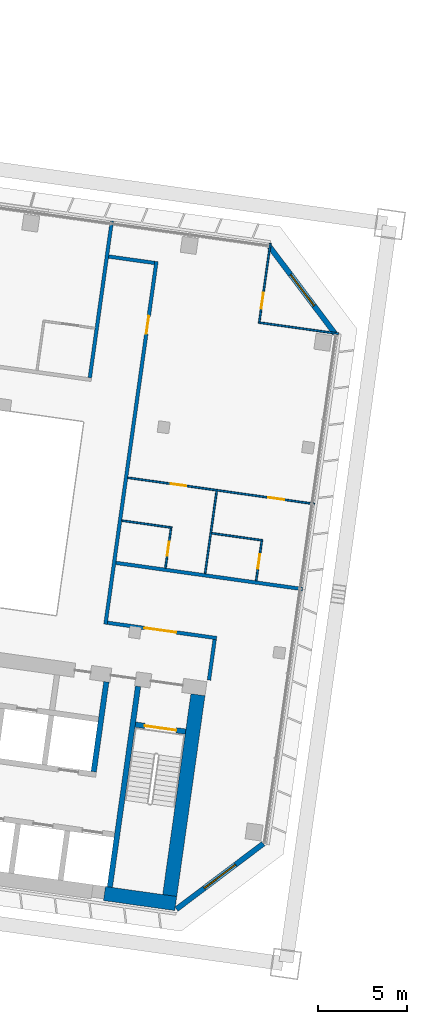
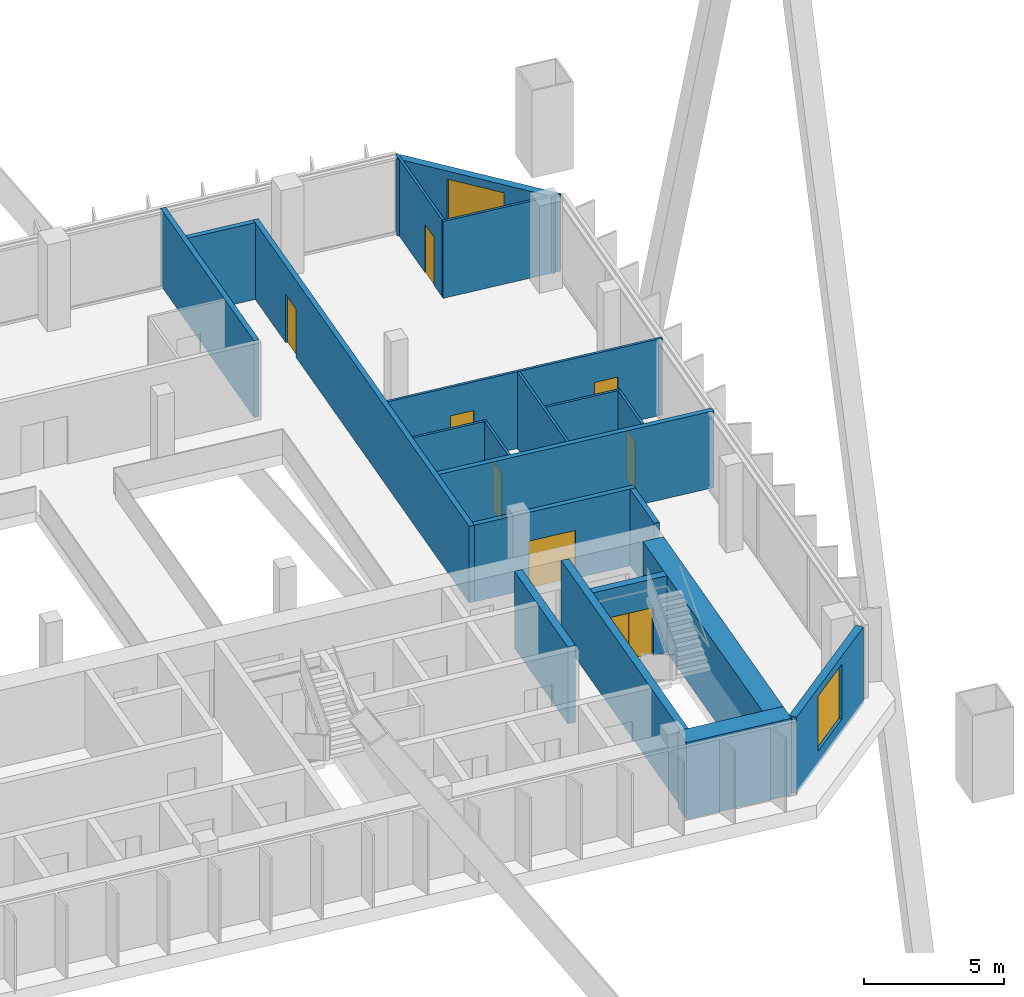
# One storey, part 33 of 41: 21 walls, 8 doors, 2 windows, 10 openings.
"""IFC4 building model written with IfcOpenShell, lengths in metres."""

from ifc_helpers import new_model, si_unit, direction, frame, frame_2d, origin, place, context, subcontext, project, spatial, rectangle, extrude, material, layer, layer_set, type_object, element, fill, save


model = new_model("IFC4")

# Units and contexts
model_context = context("Model", 3, precision=1e-05, world=origin(), true_north=direction((0.0, 1.0)))
body_context = subcontext(model_context, "Body", "Model", "MODEL_VIEW")
ifc_project = project(units=[si_unit("LENGTHUNIT", "METRE"), si_unit("AREAUNIT", "SQUARE_METRE"), si_unit("VOLUMEUNIT", "CUBIC_METRE"), si_unit("PLANEANGLEUNIT", "RADIAN"), si_unit("MASSUNIT", "GRAM", prefix="KILO")], contexts=[model_context])

# Site, building, storey
site_placement = place(None, origin())
site = spatial("IfcSite", under=ifc_project, at=site_placement, CompositionType="ELEMENT")
building_placement = place(site_placement, origin())
building = spatial("IfcBuilding", under=site, at=building_placement, Name="Mirante Cascada Hotel Towers", CompositionType="ELEMENT")
storey_placement = place(building_placement, frame((0.0, 0.0, 125.3)))
storey = spatial("IfcBuildingStorey", under=building, at=storey_placement, Name="L28", CompositionType="ELEMENT", Elevation=125.3)

# Wall, opening, door
ifc_material_1 = material(Name="Fire-rated plasterboard on metal studs")
ifc_layer_1 = layer(ifc_material_1, 0.2)
ifc_layer_set_1 = layer_set([ifc_layer_1], Name="Compartment wall 200 EI 120")
wall_type_1 = type_object("IfcWallType", Name="Compartment wall 200 EI 120", PredefinedType="PARTITIONING", material=ifc_layer_set_1)
wall_1_placement = place(storey_placement, frame((-34.8304, -4.7545, 0.0), z_axis=(0.0, 0.0, 1.0), x_axis=(-0.9902695, 0.1391629, 0.0)))
wall_1 = element("IfcWall", 1, at=wall_1_placement, inside=storey, type_object=wall_type_1, Name="Wall 1-L28-03", PredefinedType="PARTITIONING", context=body_context, shape_type="SweptSolid", body=[
    extrude(rectangle(XDim=6.1999, YDim=0.2, at=frame_2d((3.1, 0.0))), origin(), (0.0, 0.0, 1.0), 3.35),
])
opening_1_placement = place(wall_1_placement, frame((2.3, 0.0, 0.0)))
opening_1 = element("IfcOpeningElement", 2, at=opening_1_placement, cuts=wall_1, Name="Opening D1-L28-01", PredefinedType="OPENING", context=body_context, shape_type="SweptSolid", body=[
    extrude(rectangle(XDim=1.8, YDim=2.1, at=frame_2d((0.9, 1.05))), frame((0.0, 0.1, 0.0), z_axis=(0.0, -1.0, 0.0), x_axis=(1.0, 0.0, 0.0)), (0.0, 0.0, 1.0), 0.2),
])
ifc_material_2 = material(Name="Fire-rated timber door leaf", Category="wood")
door_type_1 = type_object("IfcDoorType", Name="Suite double door DG2 1800x2100 EI 60", OperationType="DOUBLE_DOOR_SINGLE_SWING", PredefinedType="DOOR", material=ifc_material_2)
door_1_placement = place(opening_1_placement, origin())
door_1 = element("IfcDoor", 3, at=door_1_placement, inside=storey, type_object=door_type_1, Name="Door D1-L28-01", OperationType="DOUBLE_DOOR_SINGLE_SWING", OverallHeight=2.1, OverallWidth=1.8, PredefinedType="DOOR", context=body_context, shape_type="SweptSolid", body=[
    extrude(rectangle(XDim=0.895, YDim=2.1, at=frame_2d((0.4475, 1.05))), frame((0.0, 0.025, 0.0), z_axis=(0.0, -1.0, 0.0), x_axis=(1.0, 0.0, 0.0)), (0.0, 0.0, 1.0), 0.05),
    extrude(rectangle(XDim=0.895, YDim=2.1, at=frame_2d((1.3525, 1.05))), frame((0.0, 0.025, 0.0), z_axis=(0.0, -1.0, 0.0), x_axis=(1.0, 0.0, 0.0)), (0.0, 0.0, 1.0), 0.05),
])
fill(opening_1, door_1)

# Walls
wall_2_placement = place(storey_placement, frame((-40.4968, -0.5248, 0.0), z_axis=(0.0, 0.0, 1.0), x_axis=(0.9902684, -0.1391704, 0.0)))
element("IfcWall", 4, at=wall_2_placement, inside=storey, type_object=wall_type_1, Name="Wall 1-L28-04", PredefinedType="PARTITIONING", context=body_context, shape_type="SweptSolid", body=[
    extrude(rectangle(XDim=10.6, YDim=0.2, at=frame_2d((5.3, 0.0))), origin(), (0.0, 0.0, 1.0), 3.35),
])
wall_3_placement = place(storey_placement, frame((-40.9036, 16.6995, 0.0), z_axis=(0.0, 0.0, 1.0), x_axis=(0.9902647, -0.1391971, 0.0)))
element("IfcWall", 5, at=wall_3_placement, inside=storey, type_object=wall_type_1, Name="Wall 1-L28-20", PredefinedType="PARTITIONING", context=body_context, shape_type="SweptSolid", body=[
    extrude(rectangle(XDim=2.5999, YDim=0.2, at=frame_2d((1.3, 0.0))), origin(), (0.0, 0.0, 1.0), 3.35),
])
wall_4_placement = place(storey_placement, frame((-34.9433, -4.8397, 0.0), z_axis=(0.0, 0.0, 1.0), x_axis=(-0.1391749, -0.9902678, 0.0)))
element("IfcWall", 6, at=wall_4_placement, inside=storey, type_object=wall_type_1, Name="Wall 1-L28-24", PredefinedType="PARTITIONING", context=body_context, shape_type="SweptSolid", body=[
    extrude(rectangle(XDim=2.3, YDim=0.2, at=frame_2d((1.15, 0.0))), origin(), (0.0, 0.0, 1.0), 3.35),
])

# Wall, opening, door
wall_5_placement = place(storey_placement, frame((-38.216, 16.4227, 0.0), z_axis=(0.0, 0.0, 1.0), x_axis=(-0.1391749, -0.9902678, 0.0)))
wall_5 = element("IfcWall", 7, at=wall_5_placement, inside=storey, type_object=wall_type_1, Name="Wall 1-L28-28", PredefinedType="PARTITIONING", context=body_context, shape_type="SweptSolid", body=[
    extrude(rectangle(XDim=20.6, YDim=0.2, at=frame_2d((10.3, 0.0))), origin(), (0.0, 0.0, 1.0), 3.35),
])
opening_2_placement = place(wall_5_placement, frame((3.1, 0.0, 0.0)))
opening_2 = element("IfcOpeningElement", 8, at=opening_2_placement, cuts=wall_5, Name="Opening D1-L28-21", PredefinedType="OPENING", context=body_context, shape_type="SweptSolid", body=[
    extrude(rectangle(XDim=1.0, YDim=2.1, at=frame_2d((0.5, 1.05))), frame((0.0, 0.1, 0.0), z_axis=(0.0, -1.0, 0.0), x_axis=(1.0, 0.0, 0.0)), (0.0, 0.0, 1.0), 0.2),
])
ifc_material_3 = material(Name="Fire-rated timber door leaf", Category="wood")
door_type_2 = type_object("IfcDoorType", Name="Entrance door DG1 1000x2100 EI 60", OperationType="SINGLE_SWING_LEFT", PredefinedType="DOOR", material=ifc_material_3)
door_2_placement = place(opening_2_placement, origin())
door_2 = element("IfcDoor", 9, at=door_2_placement, inside=storey, type_object=door_type_2, Name="Door D1-L28-21", OperationType="SINGLE_SWING_LEFT", OverallHeight=2.1, OverallWidth=1.0, PredefinedType="DOOR", context=body_context, shape_type="SweptSolid", body=[
    extrude(rectangle(XDim=1.0, YDim=2.1, at=frame_2d((0.5, 1.05))), frame((0.0, 0.025, 0.0), z_axis=(0.0, -1.0, 0.0), x_axis=(1.0, 0.0, 0.0)), (0.0, 0.0, 1.0), 0.05),
])
fill(opening_2, door_2)

# Walls
wall_6_placement = place(storey_placement, frame((-41.963, 9.8805, 0.0), z_axis=(0.0, 0.0, 1.0), x_axis=(0.1391794, 0.9902672, 0.0)))
element("IfcWall", 10, at=wall_6_placement, inside=storey, type_object=wall_type_1, Name="Wall 1-L28-29", PredefinedType="PARTITIONING", context=body_context, shape_type="SweptSolid", body=[
    extrude(rectangle(XDim=8.9, YDim=0.2, at=frame_2d((4.45, 0.0))), origin(), (0.0, 0.0, 1.0), 3.35),
])
ifc_material_4 = material(Name="Plasterboard on metal studs")
ifc_layer_2 = layer(ifc_material_4, 0.1)
ifc_layer_set_2 = layer_set([ifc_layer_2], Name="Partition 100")
wall_type_2 = type_object("IfcWallType", Name="Partition 100", PredefinedType="PARTITIONING", material=ifc_layer_set_2)
wall_7_placement = place(storey_placement, frame((-32.2407, 0.7385, 0.0), z_axis=(0.0, 0.0, 1.0), x_axis=(-0.9902683, 0.1391714, 0.0)))
element("IfcWall", 11, at=wall_7_placement, inside=storey, type_object=wall_type_2, Name="Wall 1-L28-05", PredefinedType="PARTITIONING", context=body_context, shape_type="SweptSolid", body=[
    extrude(rectangle(XDim=2.9, YDim=0.1, at=frame_2d((1.45, 0.0))), origin(), (0.0, 0.0, 1.0), 3.35),
])
wall_8_placement = place(storey_placement, frame((-40.1628, 1.8519, 0.0), z_axis=(0.0, 0.0, 1.0), x_axis=(0.9902649, -0.1391957, 0.0)))
element("IfcWall", 12, at=wall_8_placement, inside=storey, type_object=wall_type_2, Name="Wall 1-L28-06", PredefinedType="PARTITIONING", context=body_context, shape_type="SweptSolid", body=[
    extrude(rectangle(XDim=2.8499, YDim=0.1, at=frame_2d((1.425, 0.0))), origin(), (0.0, 0.0, 1.0), 3.35),
])

# Wall, openings, doors
wall_9_placement = place(storey_placement, frame((-29.3273, 2.7863, 0.0), z_axis=(0.0, 0.0, 1.0), x_axis=(-0.9902686, 0.1391691, 0.0)))
wall_9 = element("IfcWall", 13, at=wall_9_placement, inside=storey, type_object=wall_type_2, Name="Wall 1-L28-07", PredefinedType="PARTITIONING", context=body_context, shape_type="SweptSolid", body=[
    extrude(rectangle(XDim=10.6001, YDim=0.1, at=frame_2d((5.3, 0.0))), origin(), (0.0, 0.0, 1.0), 3.35),
])
opening_3_placement = place(wall_9_placement, frame((1.725, 0.0, 0.0)))
opening_3 = element("IfcOpeningElement", 14, at=opening_3_placement, cuts=wall_9, Name="Opening D1-L28-02", PredefinedType="OPENING", context=body_context, shape_type="SweptSolid", body=[
    extrude(rectangle(XDim=0.9, YDim=2.1, at=frame_2d((0.45, 1.05))), frame((0.0, 0.05, 0.0), z_axis=(0.0, -1.0, 0.0), x_axis=(1.0, 0.0, 0.0)), (0.0, 0.0, 1.0), 0.1),
])
opening_4_placement = place(wall_9_placement, frame((7.275, 0.0, 0.0)))
opening_4 = element("IfcOpeningElement", 15, at=opening_4_placement, cuts=wall_9, Name="Opening D1-L28-03", PredefinedType="OPENING", context=body_context, shape_type="SweptSolid", body=[
    extrude(rectangle(XDim=0.9, YDim=2.1, at=frame_2d((0.45, 1.05))), frame((0.0, 0.05, 0.0), z_axis=(0.0, -1.0, 0.0), x_axis=(1.0, 0.0, 0.0)), (0.0, 0.0, 1.0), 0.1),
])
ifc_material_5 = material(Name="Timber door leaf", Category="wood")
door_type_3 = type_object("IfcDoorType", Name="Room door DG3 900x2100", OperationType="SINGLE_SWING_LEFT", PredefinedType="DOOR", material=ifc_material_5)
door_3_placement = place(opening_3_placement, frame((0.9, 0.0, 0.0), z_axis=(0.0, 0.0, 1.0), x_axis=(-1.0, 0.0, 0.0)))
door_3 = element("IfcDoor", 16, at=door_3_placement, inside=storey, type_object=door_type_3, Name="Door D1-L28-02", OperationType="SINGLE_SWING_RIGHT", OverallHeight=2.1, OverallWidth=0.9, PredefinedType="DOOR", context=body_context, shape_type="SweptSolid", body=[
    extrude(rectangle(XDim=0.9, YDim=2.1, at=frame_2d((0.45, 1.05))), frame((0.0, 0.025, 0.0), z_axis=(0.0, -1.0, 0.0), x_axis=(1.0, 0.0, 0.0)), (0.0, 0.0, 1.0), 0.05),
])
fill(opening_3, door_3)
door_4_placement = place(opening_4_placement, frame((0.9, 0.0, 0.0), z_axis=(0.0, 0.0, 1.0), x_axis=(-1.0, 0.0, 0.0)))
door_4 = element("IfcDoor", 17, at=door_4_placement, inside=storey, type_object=door_type_3, Name="Door D1-L28-03", OperationType="SINGLE_SWING_RIGHT", OverallHeight=2.1, OverallWidth=0.9, PredefinedType="DOOR", context=body_context, shape_type="SweptSolid", body=[
    extrude(rectangle(XDim=0.9, YDim=2.1, at=frame_2d((0.45, 1.05))), frame((0.0, 0.025, 0.0), z_axis=(0.0, -1.0, 0.0), x_axis=(1.0, 0.0, 0.0)), (0.0, 0.0, 1.0), 0.05),
])
fill(opening_4, door_4)

# Wall
wall_10_placement = place(storey_placement, frame((-32.4877, 12.9921, 0.0), z_axis=(0.0, 0.0, 1.0), x_axis=(0.9902691, -0.1391656, 0.0)))
element("IfcWall", 18, at=wall_10_placement, inside=storey, type_object=wall_type_2, Name="Wall 1-L28-18", PredefinedType="PARTITIONING", context=body_context, shape_type="SweptSolid", body=[
    extrude(rectangle(XDim=4.55, YDim=0.1, at=frame_2d((2.275, 0.0))), origin(), (0.0, 0.0, 1.0), 3.35),
])

# Wall, opening, door
wall_11_placement = place(storey_placement, frame((-32.6103, -1.5322, 0.0), z_axis=(0.0, 0.0, 1.0), x_axis=(0.1391561, 0.9902705, 0.0)))
wall_11 = element("IfcWall", 19, at=wall_11_placement, inside=storey, type_object=wall_type_2, Name="Wall 1-L28-23", PredefinedType="PARTITIONING", context=body_context, shape_type="SweptSolid", body=[
    extrude(rectangle(XDim=2.25, YDim=0.1, at=frame_2d((1.125, 0.0))), origin(), (0.0, 0.0, 1.0), 3.35),
])
opening_5_placement = place(wall_11_placement, frame((0.7, 0.0, 0.0)))
opening_5 = element("IfcOpeningElement", 20, at=opening_5_placement, cuts=wall_11, Name="Opening D1-L28-18", PredefinedType="OPENING", context=body_context, shape_type="SweptSolid", body=[
    extrude(rectangle(XDim=0.8, YDim=2.1, at=frame_2d((0.4, 1.05))), frame((0.0, 0.05, 0.0), z_axis=(0.0, -1.0, 0.0), x_axis=(1.0, 0.0, 0.0)), (0.0, 0.0, 1.0), 0.1),
])
ifc_material_6 = material(Name="Timber door leaf", Category="wood")
door_type_4 = type_object("IfcDoorType", Name="Bathroom door DG4 800x2100", OperationType="SINGLE_SWING_LEFT", PredefinedType="DOOR", material=ifc_material_6)
door_5_placement = place(opening_5_placement, origin())
door_5 = element("IfcDoor", 21, at=door_5_placement, inside=storey, type_object=door_type_4, Name="Door D1-L28-18", OperationType="SINGLE_SWING_LEFT", OverallHeight=2.1, OverallWidth=0.8, PredefinedType="DOOR", context=body_context, shape_type="SweptSolid", body=[
    extrude(rectangle(XDim=0.8, YDim=2.1, at=frame_2d((0.4, 1.05))), frame((0.0, 0.025, 0.0), z_axis=(0.0, -1.0, 0.0), x_axis=(1.0, 0.0, 0.0)), (0.0, 0.0, 1.0), 0.05),
])
fill(opening_5, door_5)

wall_12_placement = place(storey_placement, frame((-32.4312, 13.0347, 0.0), z_axis=(0.0, 0.0, 1.0), x_axis=(0.1391684, 0.9902687, 0.0)))
wall_12 = element("IfcWall", 22, at=wall_12_placement, inside=storey, type_object=wall_type_2, Name="Wall 1-L28-25", PredefinedType="PARTITIONING", context=body_context, shape_type="SweptSolid", body=[
    extrude(rectangle(XDim=4.45, YDim=0.1, at=frame_2d((2.225, 0.0))), origin(), (0.0, 0.0, 1.0), 3.35),
])
opening_6_placement = place(wall_12_placement, frame((0.75, 0.0, 0.0)))
opening_6 = element("IfcOpeningElement", 23, at=opening_6_placement, cuts=wall_12, Name="Opening D1-L28-19", PredefinedType="OPENING", context=body_context, shape_type="SweptSolid", body=[
    extrude(rectangle(XDim=0.9, YDim=2.1, at=frame_2d((0.45, 1.05))), frame((0.0, 0.05, 0.0), z_axis=(0.0, -1.0, 0.0), x_axis=(1.0, 0.0, 0.0)), (0.0, 0.0, 1.0), 0.1),
])
door_6_placement = place(opening_6_placement, origin())
door_6 = element("IfcDoor", 24, at=door_6_placement, inside=storey, type_object=door_type_3, Name="Door D1-L28-19", OperationType="SINGLE_SWING_LEFT", OverallHeight=2.1, OverallWidth=0.9, PredefinedType="DOOR", context=body_context, shape_type="SweptSolid", body=[
    extrude(rectangle(XDim=0.9, YDim=2.1, at=frame_2d((0.45, 1.05))), frame((0.0, 0.025, 0.0), z_axis=(0.0, -1.0, 0.0), x_axis=(1.0, 0.0, 0.0)), (0.0, 0.0, 1.0), 0.05),
])
fill(opening_6, door_6)

# Wall
wall_13_placement = place(storey_placement, frame((-34.8303, 3.5092, 0.0), z_axis=(0.0, 0.0, 1.0), x_axis=(-0.139173, -0.9902681, 0.0)))
element("IfcWall", 25, at=wall_13_placement, inside=storey, type_object=wall_type_2, Name="Wall 1-L28-26", PredefinedType="PARTITIONING", context=body_context, shape_type="SweptSolid", body=[
    extrude(rectangle(XDim=4.6834, YDim=0.1, at=frame_2d((2.3417, 0.0))), origin(), (0.0, 0.0, 1.0), 3.35),
])

# Wall, opening, door
wall_14_placement = place(storey_placement, frame((-37.7102, -0.8154, 0.0), z_axis=(0.0, 0.0, 1.0), x_axis=(0.1391997, 0.9902643, 0.0)))
wall_14 = element("IfcWall", 26, at=wall_14_placement, inside=storey, type_object=wall_type_2, Name="Wall 1-L28-27", PredefinedType="PARTITIONING", context=body_context, shape_type="SweptSolid", body=[
    extrude(rectangle(XDim=2.25, YDim=0.1, at=frame_2d((1.125, 0.0))), origin(), (0.0, 0.0, 1.0), 3.35),
])
opening_7_placement = place(wall_14_placement, frame((0.7, 0.0, 0.0)))
opening_7 = element("IfcOpeningElement", 27, at=opening_7_placement, cuts=wall_14, Name="Opening D1-L28-20", PredefinedType="OPENING", context=body_context, shape_type="SweptSolid", body=[
    extrude(rectangle(XDim=0.8, YDim=2.1, at=frame_2d((0.4, 1.05))), frame((0.0, 0.05, 0.0), z_axis=(0.0, -1.0, 0.0), x_axis=(1.0, 0.0, 0.0)), (0.0, 0.0, 1.0), 0.1),
])
door_7_placement = place(opening_7_placement, origin())
door_7 = element("IfcDoor", 28, at=door_7_placement, inside=storey, type_object=door_type_4, Name="Door D1-L28-20", OperationType="SINGLE_SWING_LEFT", OverallHeight=2.1, OverallWidth=0.8, PredefinedType="DOOR", context=body_context, shape_type="SweptSolid", body=[
    extrude(rectangle(XDim=0.8, YDim=2.1, at=frame_2d((0.4, 1.05))), frame((0.0, 0.025, 0.0), z_axis=(0.0, -1.0, 0.0), x_axis=(1.0, 0.0, 0.0)), (0.0, 0.0, 1.0), 0.05),
])
fill(opening_7, door_7)

# Wall, opening, window
ifc_material_7 = material(Name="Precast concrete C40/50", Category="concrete")
ifc_layer_3 = layer(ifc_material_7, 0.3)
ifc_layer_set_3 = layer_set([ifc_layer_3], Name="Precast concrete C40/50 cladding wall 300")
wall_type_3 = type_object("IfcWallType", Name="Precast concrete C40/50 cladding wall 300", PredefinedType="STANDARD", material=ifc_layer_set_3)
wall_15_placement = place(storey_placement, frame((-31.857, 17.252, 0.0), z_axis=(0.0, 0.0, 1.0), x_axis=(0.6018141, -0.7986362, 0.0)))
wall_15 = element("IfcWall", 29, at=wall_15_placement, inside=storey, type_object=wall_type_3, Name="Corner cladding wall T1 L28 front inner", PredefinedType="STANDARD", context=body_context, shape_type="SweptSolid", body=[
    extrude(rectangle(XDim=6.1157, YDim=0.3, at=frame_2d((3.0578, 0.0))), origin(), (0.0, 0.0, 1.0), 3.35),
])
opening_8_placement = place(wall_15_placement, frame((1.9578, 0.0, 0.6)))
opening_8 = element("IfcOpeningElement", 30, at=opening_8_placement, cuts=wall_15, Name="Opening W1-28-05", PredefinedType="OPENING", context=body_context, shape_type="SweptSolid", body=[
    extrude(rectangle(XDim=2.2, YDim=2.4, at=frame_2d((1.1, 1.2))), frame((0.0, 0.15, 0.0), z_axis=(0.0, -1.0, 0.0), x_axis=(1.0, 0.0, 0.0)), (0.0, 0.0, 1.0), 0.3),
])
ifc_material_8 = material(Name="Aluminium frame with clear double glazing", Category="aluminium")
window_type = type_object("IfcWindowType", Name="Corner suite window 2200x2400", PartitioningType="DOUBLE_PANEL_VERTICAL", PredefinedType="WINDOW", material=ifc_material_8)
window_1_placement = place(opening_8_placement, origin())
window_1 = element("IfcWindow", 31, at=window_1_placement, inside=storey, type_object=window_type, Name="Window W1-28-05", OverallHeight=2.4, OverallWidth=2.2, PartitioningType="SINGLE_PANEL", PredefinedType="WINDOW", context=body_context, shape_type="SweptSolid", body=[
    extrude(rectangle(XDim=2.2, YDim=2.4, at=frame_2d((1.1, 1.2))), frame((0.0, 0.03, 0.0), z_axis=(0.0, -1.0, 0.0), x_axis=(1.0, 0.0, 0.0)), (0.0, 0.0, 1.0), 0.06),
])
fill(opening_8, window_1)

wall_16_placement = place(storey_placement, frame((-32.2074, -16.3138, 0.0), z_axis=(0.0, 0.0, 1.0), x_axis=(-0.7986362, -0.6018141, 0.0)))
wall_16 = element("IfcWall", 32, at=wall_16_placement, inside=storey, type_object=wall_type_3, Name="Corner cladding wall T1 L28 inner rear", PredefinedType="STANDARD", context=body_context, shape_type="SweptSolid", body=[
    extrude(rectangle(XDim=6.1157, YDim=0.3, at=frame_2d((3.0578, 0.0))), origin(), (0.0, 0.0, 1.0), 3.35),
])
opening_9_placement = place(wall_16_placement, frame((1.9578, 0.0, 0.6)))
opening_9 = element("IfcOpeningElement", 33, at=opening_9_placement, cuts=wall_16, Name="Opening W1-28-06", PredefinedType="OPENING", context=body_context, shape_type="SweptSolid", body=[
    extrude(rectangle(XDim=2.2, YDim=2.4, at=frame_2d((1.1, 1.2))), frame((0.0, 0.15, 0.0), z_axis=(0.0, -1.0, 0.0), x_axis=(1.0, 0.0, 0.0)), (0.0, 0.0, 1.0), 0.3),
])
window_2_placement = place(opening_9_placement, origin())
window_2 = element("IfcWindow", 34, at=window_2_placement, inside=storey, type_object=window_type, Name="Window W1-28-06", OverallHeight=2.4, OverallWidth=2.2, PartitioningType="SINGLE_PANEL", PredefinedType="WINDOW", context=body_context, shape_type="SweptSolid", body=[
    extrude(rectangle(XDim=2.2, YDim=2.4, at=frame_2d((1.1, 1.2))), frame((0.0, 0.03, 0.0), z_axis=(0.0, -1.0, 0.0), x_axis=(1.0, 0.0, 0.0)), (0.0, 0.0, 1.0), 0.06),
])
fill(opening_9, window_2)

# Wall
ifc_material_9 = material(Name="Concrete C50/60", Category="concrete")
ifc_layer_4 = layer(ifc_material_9, 0.3)
ifc_layer_set_4 = layer_set([ifc_layer_4], Name="RC core wall 300 C50/60")
wall_type_4 = type_object("IfcWallType", Name="RC core wall 300 C50/60", PredefinedType="SHEAR", material=ifc_layer_set_4)
wall_17_placement = place(storey_placement, frame((-40.8373, -18.7548, 0.0), z_axis=(0.0, 0.0, 1.0), x_axis=(0.1391749, 0.9902678, 0.0)))
element("IfcWall", 35, at=wall_17_placement, inside=storey, type_object=wall_type_4, Name="Core wall T1:L28:5", PredefinedType="SHEAR", context=body_context, shape_type="SweptSolid", body=[
    extrude(rectangle(XDim=11.4, YDim=0.3, at=frame_2d((5.7, 0.0))), origin(), (0.0, 0.0, 1.0), 3.35),
])

# Wall, opening, door
wall_18_placement = place(storey_placement, frame((-36.5791, -10.0123, 0.0), z_axis=(0.0, 0.0, 1.0), x_axis=(-0.9902704, 0.1391564, 0.0)))
wall_18 = element("IfcWall", 36, at=wall_18_placement, inside=storey, type_object=wall_type_4, Name="Core wall T1:L28:9", PredefinedType="SHEAR", context=body_context, shape_type="SweptSolid", body=[
    extrude(rectangle(XDim=2.85, YDim=0.3, at=frame_2d((1.425, 0.0))), origin(), (0.0, 0.0, 1.0), 3.35),
])
opening_10_placement = place(wall_18_placement, frame((0.525, 0.0, 0.0)))
opening_10 = element("IfcOpeningElement", 37, at=opening_10_placement, cuts=wall_18, Name="Opening D1-28-C13", PredefinedType="OPENING", context=body_context, shape_type="SweptSolid", body=[
    extrude(rectangle(XDim=1.8, YDim=2.1, at=frame_2d((0.9, 1.05))), frame((0.0, 0.15, 0.0), z_axis=(0.0, -1.0, 0.0), x_axis=(1.0, 0.0, 0.0)), (0.0, 0.0, 1.0), 0.3),
])
ifc_material_10 = material(Name="Hollow metal fire door leaf")
door_type_5 = type_object("IfcDoorType", Name="Double fire door 1800x2100 FD60", OperationType="DOUBLE_DOOR_SINGLE_SWING", PredefinedType="DOOR", material=ifc_material_10)
door_8_placement = place(opening_10_placement, origin())
door_8 = element("IfcDoor", 38, at=door_8_placement, inside=storey, type_object=door_type_5, Name="Stair door T1 L28 13", OperationType="DOUBLE_DOOR_SINGLE_SWING", OverallHeight=2.1, OverallWidth=1.8, PredefinedType="DOOR", context=body_context, shape_type="SweptSolid", body=[
    extrude(rectangle(XDim=0.895, YDim=2.1, at=frame_2d((0.4475, 1.05))), frame((0.0, 0.025, 0.0), z_axis=(0.0, -1.0, 0.0), x_axis=(1.0, 0.0, 0.0)), (0.0, 0.0, 1.0), 0.05),
    extrude(rectangle(XDim=0.895, YDim=2.1, at=frame_2d((1.3525, 1.05))), frame((0.0, 0.025, 0.0), z_axis=(0.0, -1.0, 0.0), x_axis=(1.0, 0.0, 0.0)), (0.0, 0.0, 1.0), 0.05),
])
fill(opening_10, door_8)

# Walls
wall_19_placement = place(storey_placement, frame((-41.743, -12.2656, 0.0), z_axis=(0.0, 0.0, 1.0), x_axis=(0.1391755, 0.9902677, 0.0)))
element("IfcWall", 39, at=wall_19_placement, inside=storey, type_object=wall_type_4, Name="Core wall T1:L28:20", PredefinedType="SHEAR", context=body_context, shape_type="SweptSolid", body=[
    extrude(rectangle(XDim=5.1, YDim=0.3, at=frame_2d((2.55, 0.0))), origin(), (0.0, 0.0, 1.0), 3.35),
])
ifc_material_11 = material(Name="Concrete C50/60", Category="concrete")
ifc_layer_5 = layer(ifc_material_11, 0.8)
ifc_layer_set_5 = layer_set([ifc_layer_5], Name="RC core wall 800 C50/60")
wall_type_5 = type_object("IfcWallType", Name="RC core wall 800 C50/60", PredefinedType="SHEAR", material=ifc_layer_set_5)
wall_20_placement = place(storey_placement, frame((-37.1299, -19.6798, 0.0), z_axis=(0.0, 0.0, 1.0), x_axis=(-0.9902665, 0.1391845, 0.0)))
element("IfcWall", 40, at=wall_20_placement, inside=storey, type_object=wall_type_5, Name="Core wall T1:L28:1.1", PredefinedType="SHEAR", context=body_context, shape_type="SweptSolid", body=[
    extrude(rectangle(XDim=4.05, YDim=0.8, at=frame_2d((2.025, 0.0))), origin(), (0.0, 0.0, 1.0), 3.35),
])
wall_21_placement = place(storey_placement, frame((-37.4704, -19.228, 0.0), z_axis=(0.0, 0.0, 1.0), x_axis=(0.1391749, 0.9902678, 0.0)))
element("IfcWall", 41, at=wall_21_placement, inside=storey, type_object=wall_type_5, Name="Core wall T1:L28:3", PredefinedType="SHEAR", context=body_context, shape_type="SweptSolid", body=[
    extrude(rectangle(XDim=11.4, YDim=0.8, at=frame_2d((5.7, 0.0))), origin(), (0.0, 0.0, 1.0), 3.35),
])

save(model, "model.ifc")
